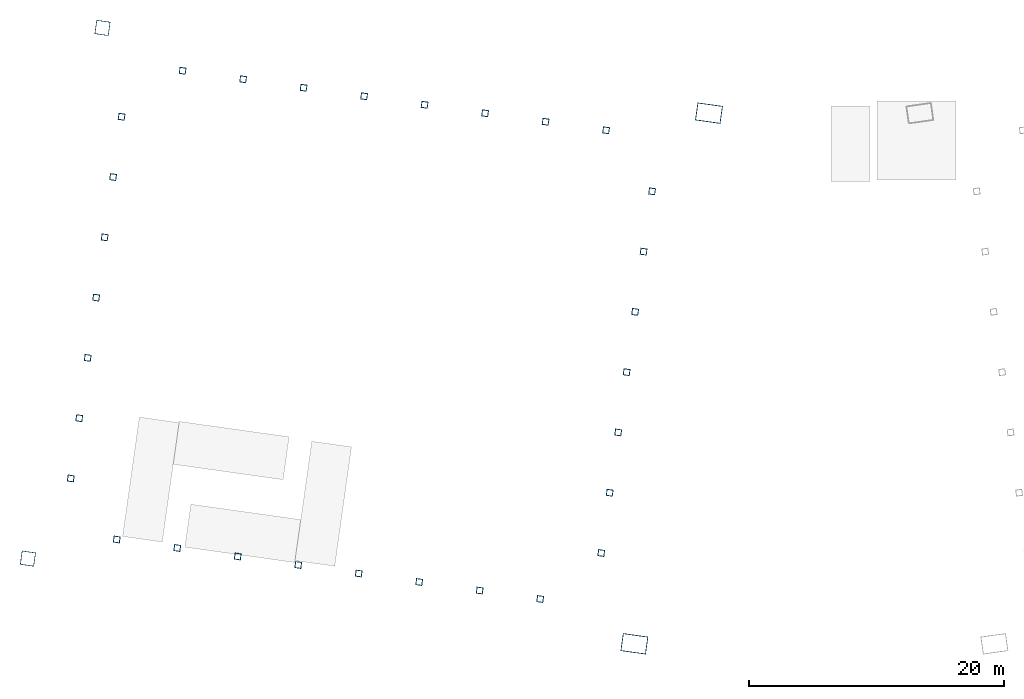
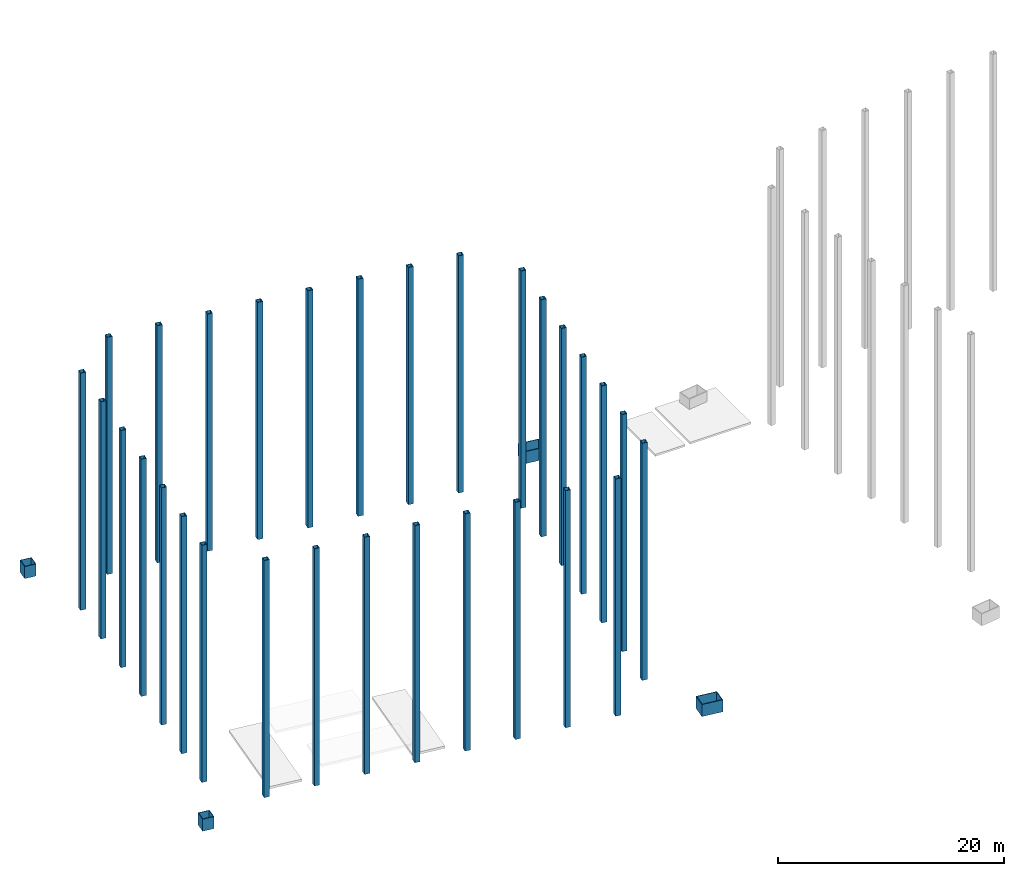
# One storey, part 1 of 3: 34 columns.
"""IFC4 building model written with IfcOpenShell, lengths in metres."""

from ifc_helpers import new_model, si_unit, direction, frame, origin, origin_2d, place, context, subcontext, project, spatial, hollow_rectangle, extrude, material, material_profile, profile_set, type_object, element, save


model = new_model("IFC4")

# Units and contexts
model_context = context("Model", 3, precision=1e-05, world=origin(), true_north=direction((0.0, 1.0)))
body_context = subcontext(model_context, "Body", "Model", "MODEL_VIEW")
ifc_project = project(units=[si_unit("LENGTHUNIT", "METRE"), si_unit("AREAUNIT", "SQUARE_METRE"), si_unit("VOLUMEUNIT", "CUBIC_METRE"), si_unit("PLANEANGLEUNIT", "RADIAN"), si_unit("MASSUNIT", "GRAM", prefix="KILO")], contexts=[model_context])

# Site, building, storey
site_placement = place(None, origin())
site = spatial("IfcSite", under=ifc_project, at=site_placement, CompositionType="ELEMENT")
building_placement = place(site_placement, origin())
building = spatial("IfcBuilding", under=site, at=building_placement, Name="Mirante Cascada Hotel Towers", CompositionType="ELEMENT")
storey_placement = place(building_placement, frame((0.0, 0.0, 272.8)))
storey = spatial("IfcBuildingStorey", under=building, at=storey_placement, Name="Upper roof", CompositionType="ELEMENT", Elevation=272.8)

# Columns
ifc_material_1 = material(Name="Steel ASTM A572 Gr 50", Category="steel")
ifc_material_profile_1 = material_profile(ifc_material_1, hollow_rectangle(XDim=1.1, YDim=1.1, WallThickness=0.05, at=origin_2d()), Name="Box column 1100x1100x50 ASTM A572 Gr 50")
ifc_profile_set_1 = profile_set([ifc_material_profile_1], Name="Steel ASTM A572 Gr 50")
column_type_1 = type_object("IfcColumnType", Name="Box column 1100x1100x50 ASTM A572 Gr 50", PredefinedType="COLUMN", material=ifc_profile_set_1)
for number, where, z_axis, x_axis, name in (
    (1, (-55.7951, 22.8316, 0.0), (0.0, 0.0, 1.0), (-0.9902681, 0.1391731, 0.0), "Mega column MC3 T1 Roof garden"),
    (2, (-61.6404, -18.7596, 0.0), (0.0, 0.0, 1.0), (-0.9902681, 0.1391731, 0.0), "Mega column MC4 T1 Roof garden"),
):
    element("IfcColumn", number, at=place(storey_placement, frame(where, z_axis=z_axis, x_axis=x_axis)), inside=storey, type_object=column_type_1, Name=name, PredefinedType="COLUMN", context=body_context, shape_type="SweptSolid", body=[
        extrude(hollow_rectangle(XDim=1.1, YDim=1.1, WallThickness=0.05, at=origin_2d()), origin(), (0.0, 0.0, 1.0), 1.3),
    ])
ifc_material_2 = material(Name="Steel ASTM A572 Gr 50", Category="steel")
ifc_material_profile_2 = material_profile(ifc_material_2, hollow_rectangle(XDim=2.0, YDim=1.4, WallThickness=0.06, at=origin_2d()), Name="Box column 1400x2000x60 ASTM A572 Gr 50")
ifc_profile_set_2 = profile_set([ifc_material_profile_2], Name="Steel ASTM A572 Gr 50")
column_type_2 = type_object("IfcColumnType", Name="Box column 1400x2000x60 ASTM A572 Gr 50", PredefinedType="COLUMN", material=ifc_profile_set_2)
for number, where, z_axis, x_axis, name in (
    (3, (-8.2623, 16.1513, 0.0), (0.0, 0.0, 1.0), (-0.9902681, 0.1391731, 0.0), "Mega column MC1 T1 Roof garden"),
    (4, (-14.1075, -25.4399, 0.0), (0.0, 0.0, 1.0), (-0.9902681, 0.1391731, 0.0), "Mega column MC2 T1 Roof garden"),
):
    element("IfcColumn", number, at=place(storey_placement, frame(where, z_axis=z_axis, x_axis=x_axis)), inside=storey, type_object=column_type_2, Name=name, PredefinedType="COLUMN", context=body_context, shape_type="SweptSolid", body=[
        extrude(hollow_rectangle(XDim=2.0, YDim=1.4, WallThickness=0.06, at=origin_2d()), origin(), (0.0, 0.0, 1.0), 1.3),
    ])
ifc_material_3 = material(Name="Steel ASTM A572 Gr 50", Category="steel")
ifc_material_profile_3 = material_profile(ifc_material_3, hollow_rectangle(XDim=0.5, YDim=0.5, WallThickness=0.03, at=origin_2d()), Name="Box column 500x500x30 ASTM A572 Gr 50")
ifc_profile_set_3 = profile_set([ifc_material_profile_3], Name="Steel ASTM A572 Gr 50")
column_type_3 = type_object("IfcColumnType", Name="Box column 500x500x30 ASTM A572 Gr 50", PredefinedType="COLUMN", material=ifc_profile_set_3)
for number, where, z_axis, x_axis, name in (
    (5, (-21.4918, -21.928, 0.0), (0.0, 0.0, 1.0), (-0.9902681, 0.1391731, 0.0), "CROWN FRAME post T1 1"),
    (6, (-16.7071, -18.3225, 0.0), (0.0, 0.0, 1.0), (-0.9902681, 0.1391731, 0.0), "CROWN FRAME post T1 2"),
    (7, (-16.043, -13.5977, 0.0), (0.0, 0.0, 1.0), (-0.9902681, 0.1391731, 0.0), "CROWN FRAME post T1 3"),
    (8, (-15.379, -8.8729, 0.0), (0.0, 0.0, 1.0), (-0.9902681, 0.1391731, 0.0), "CROWN FRAME post T1 4"),
    (9, (-14.715, -4.1482, 0.0), (0.0, 0.0, 1.0), (-0.9902681, 0.1391731, 0.0), "CROWN FRAME post T1 5"),
    (10, (-14.051, 0.5766, 0.0), (0.0, 0.0, 1.0), (-0.9902681, 0.1391731, 0.0), "CROWN FRAME post T1 6"),
    (11, (-13.387, 5.3014, 0.0), (0.0, 0.0, 1.0), (-0.9902681, 0.1391731, 0.0), "CROWN FRAME post T1 7"),
    (12, (-12.7229, 10.0261, 0.0), (0.0, 0.0, 1.0), (-0.9902681, 0.1391731, 0.0), "CROWN FRAME post T1 8"),
    (13, (-16.3285, 14.8109, 0.0), (0.0, 0.0, 1.0), (-0.9902681, 0.1391731, 0.0), "CROWN FRAME post T1 9"),
    (14, (-21.0694, 15.4772, 0.0), (0.0, 0.0, 1.0), (-0.9902681, 0.1391731, 0.0), "CROWN FRAME post T1 10"),
    (15, (-25.8103, 16.1435, 0.0), (0.0, 0.0, 1.0), (-0.9902681, 0.1391731, 0.0), "CROWN FRAME post T1 11"),
    (16, (-30.5512, 16.8098, 0.0), (0.0, 0.0, 1.0), (-0.9902681, 0.1391731, 0.0), "CROWN FRAME post T1 12"),
    (17, (-35.2921, 17.4761, 0.0), (0.0, 0.0, 1.0), (-0.9902681, 0.1391731, 0.0), "CROWN FRAME post T1 13"),
    (18, (-40.033, 18.1423, 0.0), (0.0, 0.0, 1.0), (-0.9902681, 0.1391731, 0.0), "CROWN FRAME post T1 14"),
    (19, (-44.7739, 18.8086, 0.0), (0.0, 0.0, 1.0), (-0.9902681, 0.1391731, 0.0), "CROWN FRAME post T1 15"),
    (20, (-49.5148, 19.4749, 0.0), (0.0, 0.0, 1.0), (-0.9902681, 0.1391731, 0.0), "CROWN FRAME post T1 16"),
    (21, (-54.2995, 15.8694, 0.0), (0.0, 0.0, 1.0), (-0.9902681, 0.1391731, 0.0), "CROWN FRAME post T1 17"),
    (22, (-54.9636, 11.1446, 0.0), (0.0, 0.0, 1.0), (-0.9902681, 0.1391731, 0.0), "CROWN FRAME post T1 18"),
    (23, (-55.6276, 6.4198, 0.0), (0.0, 0.0, 1.0), (-0.9902681, 0.1391731, 0.0), "CROWN FRAME post T1 19"),
    (24, (-56.2916, 1.695, 0.0), (0.0, 0.0, 1.0), (-0.9902681, 0.1391731, 0.0), "CROWN FRAME post T1 20"),
    (25, (-56.9556, -3.0297, 0.0), (0.0, 0.0, 1.0), (-0.9902681, 0.1391731, 0.0), "CROWN FRAME post T1 21"),
    (26, (-57.6197, -7.7545, 0.0), (0.0, 0.0, 1.0), (-0.9902681, 0.1391731, 0.0), "CROWN FRAME post T1 22"),
    (27, (-58.2837, -12.4793, 0.0), (0.0, 0.0, 1.0), (-0.9902681, 0.1391731, 0.0), "CROWN FRAME post T1 23"),
    (28, (-54.6781, -17.264, 0.0), (0.0, 0.0, 1.0), (-0.9902681, 0.1391731, 0.0), "CROWN FRAME post T1 24"),
    (29, (-49.9372, -17.9303, 0.0), (0.0, 0.0, 1.0), (-0.9902681, 0.1391731, 0.0), "CROWN FRAME post T1 25"),
    (30, (-45.1963, -18.5966, 0.0), (0.0, 0.0, 1.0), (-0.9902681, 0.1391731, 0.0), "CROWN FRAME post T1 26"),
    (31, (-40.4554, -19.2629, 0.0), (0.0, 0.0, 1.0), (-0.9902681, 0.1391731, 0.0), "CROWN FRAME post T1 27"),
    (32, (-35.7145, -19.9292, 0.0), (0.0, 0.0, 1.0), (-0.9902681, 0.1391731, 0.0), "CROWN FRAME post T1 28"),
    (33, (-30.9736, -20.5955, 0.0), (0.0, 0.0, 1.0), (-0.9902681, 0.1391731, 0.0), "CROWN FRAME post T1 29"),
    (34, (-26.2327, -21.2618, 0.0), (0.0, 0.0, 1.0), (-0.9902681, 0.1391731, 0.0), "CROWN FRAME post T1 30"),
):
    element("IfcColumn", number, at=place(storey_placement, frame(where, z_axis=z_axis, x_axis=x_axis)), inside=storey, type_object=column_type_3, Name=name, PredefinedType="COLUMN", context=body_context, shape_type="SweptSolid", body=[
        extrude(hollow_rectangle(XDim=0.5, YDim=0.5, WallThickness=0.03, at=origin_2d()), origin(), (0.0, 0.0, 1.0), 25.6),
    ])

save(model, "model.ifc")
